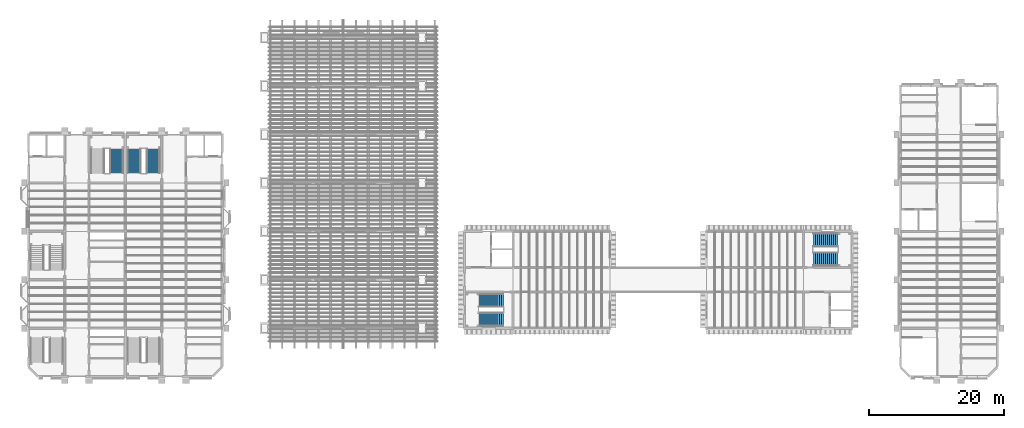
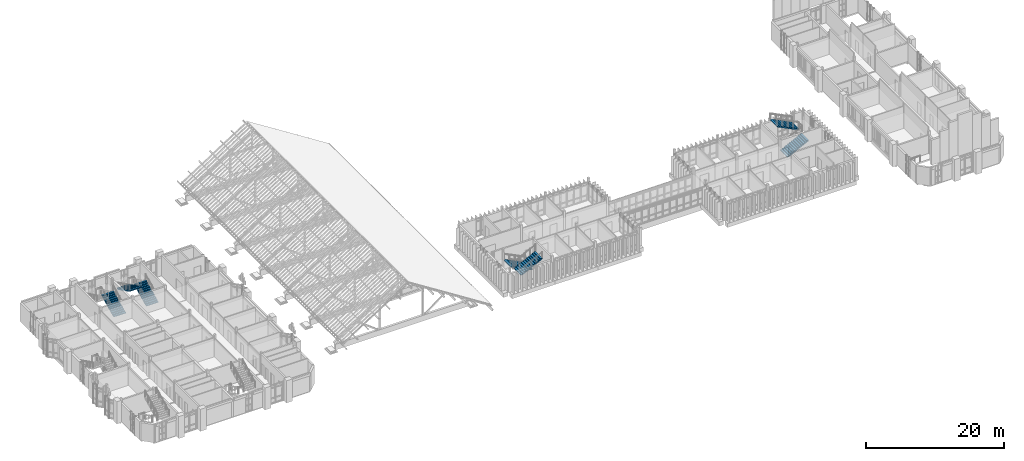
# One storey, part 60 of 71: 7 stair flights, 4 elements without a shape of their own.
"""IFC4 building model written with IfcOpenShell, lengths in metres."""

from ifc_helpers import new_model, si_unit, direction, frame, origin, place, context, subcontext, project, spatial, faceted_brep, material, type_object, element, aggregate, save


model = new_model("IFC4")

# Units and contexts
model_context = context("Model", 3, precision=1e-05, world=origin(), true_north=direction((0.0, 1.0)))
body_context = subcontext(model_context, "Body", "Model", "MODEL_VIEW")
ifc_project = project(units=[si_unit("LENGTHUNIT", "METRE"), si_unit("AREAUNIT", "SQUARE_METRE"), si_unit("VOLUMEUNIT", "CUBIC_METRE"), si_unit("PLANEANGLEUNIT", "RADIAN"), si_unit("MASSUNIT", "GRAM", prefix="KILO")], contexts=[model_context])

# Site, building, storey
site_placement = place(None, origin())
site = spatial("IfcSite", under=ifc_project, at=site_placement, CompositionType="ELEMENT")
building_placement = place(site_placement, origin())
building = spatial("IfcBuilding", under=site, at=building_placement, Name="Mazhai Court Health Centre", CompositionType="ELEMENT")
storey_placement = place(building_placement, frame((0.0, 0.0, 10.199951171875)))
storey = spatial("IfcBuildingStorey", under=building, at=storey_placement, Name="L02", CompositionType="ELEMENT", Elevation=10.199951171875)

# Stair, stair flight
ifc_material_1 = material(Name="Concrete M40", Category="concrete")
stair_type = type_object("IfcStairType", Name="RC STAIR 2000 26R", PredefinedType="DOUBLE_RETURN_STAIR", material=ifc_material_1)
stair_1_placement = place(storey_placement, origin())
stair_1 = element("IfcStair", 1, at=stair_1_placement, inside=storey, type_object=stair_type, Name="L02 Stair 3", PredefinedType="HALF_TURN_STAIR")
ifc_material_2 = material(Name="Concrete M40", Category="concrete")
stair_flight_type = type_object("IfcStairFlightType", Name="RC STAIR FLIGHT 13R 2000", PredefinedType="STRAIGHT", material=ifc_material_2)
stair_flight_1_placement = place(storey_placement, frame((19.304931640625, 36.43505859375, 0.0), z_axis=(0.0, 0.0, 1.0), x_axis=(0.0, 1.0, 0.0)))
stair_flight_1 = element("IfcStairFlight", 2, at=stair_flight_1_placement, type_object=stair_flight_type, Name="ST3 flight 1", NumberOfRisers=13, NumberOfTreads=12, PredefinedType="STRAIGHT", RiserHeight=0.15, TreadLength=0.3, context=body_context, shape_type="Brep", body=[
    faceted_brep([(0.0, 1.0, 0.0), (0.0, 1.0, 0.14990234375), (0.300048828125, 1.0, 0.14990234375), (0.300048828125, 1.0, 0.300048828125), (0.60009765625, 1.0, 0.300048828125), (0.60009765625, 1.0, 0.449951171875), (0.89990234375, 1.0, 0.449951171875), (0.89990234375, 1.0, 0.60009765625), (1.199951171875, 1.0, 0.60009765625), (1.199951171875, 1.0, 0.75), (1.5, 1.0, 0.75), (1.5, 1.0, 0.89990234375), (1.800048828125, 1.0, 0.89990234375), (1.800048828125, 1.0, 1.050048828125), (2.10009765625, 1.0, 1.050048828125), (2.10009765625, 1.0, 1.199951171875), (2.39990234375, 1.0, 1.199951171875), (2.39990234375, 1.0, 1.35009765625), (2.699951171875, 1.0, 1.35009765625), (2.699951171875, 1.0, 1.5), (3.0, 1.0, 1.5), (3.0, 1.0, 1.64990234375), (3.300048828125, 1.0, 1.64990234375), (3.300048828125, 1.0, 1.800048828125), (3.60009765625, 1.0, 1.800048828125), (3.60009765625, 1.0, 1.63232421875), (0.335205078125, 1.0, 0.0), (0.335205078125, -1.0, 0.0), (3.60009765625, -1.0, 1.63232421875), (3.60009765625, -1.0, 1.800048828125), (3.300048828125, -1.0, 1.800048828125), (3.300048828125, -1.0, 1.64990234375), (3.0, -1.0, 1.64990234375), (3.0, -1.0, 1.5), (2.699951171875, -1.0, 1.5), (2.699951171875, -1.0, 1.35009765625), (2.39990234375, -1.0, 1.35009765625), (2.39990234375, -1.0, 1.199951171875), (2.10009765625, -1.0, 1.199951171875), (2.10009765625, -1.0, 1.050048828125), (1.800048828125, -1.0, 1.050048828125), (1.800048828125, -1.0, 0.89990234375), (1.5, -1.0, 0.89990234375), (1.5, -1.0, 0.75), (1.199951171875, -1.0, 0.75), (1.199951171875, -1.0, 0.60009765625), (0.89990234375, -1.0, 0.60009765625), (0.89990234375, -1.0, 0.449951171875), (0.60009765625, -1.0, 0.449951171875), (0.60009765625, -1.0, 0.300048828125), (0.300048828125, -1.0, 0.300048828125), (0.300048828125, -1.0, 0.14990234375), (0.0, -1.0, 0.14990234375), (0.0, -1.0, 0.0), (0.0, 0.0, 0.0), (0.0, 0.0, 0.14990234375), (0.300048828125, 0.0, 0.14990234375), (0.300048828125, 0.0, 0.300048828125), (0.60009765625, 0.0, 0.300048828125), (0.60009765625, 0.0, 0.449951171875), (0.89990234375, 0.0, 0.449951171875), (0.89990234375, 0.0, 0.60009765625), (1.199951171875, 0.0, 0.60009765625), (1.199951171875, 0.0, 0.75), (1.5, 0.0, 0.75), (1.5, 0.0, 0.89990234375), (1.800048828125, 0.0, 0.89990234375), (1.800048828125, 0.0, 1.050048828125), (2.10009765625, 0.0, 1.050048828125), (2.10009765625, 0.0, 1.199951171875), (2.39990234375, 0.0, 1.199951171875), (2.39990234375, 0.0, 1.35009765625), (2.699951171875, 0.0, 1.35009765625), (2.699951171875, 0.0, 1.5), (3.0, 0.0, 1.5), (3.0, 0.0, 1.64990234375), (3.300048828125, 0.0, 1.64990234375), (3.300048828125, 0.0, 1.800048828125), (3.60009765625, 0.0, 1.800048828125), (3.60009765625, 0.0, 1.63232421875), (0.335205078125, 0.0, 0.0)], [[[0, 1, 2, 3, 4, 5, 6, 7, 8, 9, 10, 11, 12, 13, 14, 15, 16, 17, 18, 19, 20, 21, 22, 23, 24, 25, 26]], [[27, 28, 29, 30, 31, 32, 33, 34, 35, 36, 37, 38, 39, 40, 41, 42, 43, 44, 45, 46, 47, 48, 49, 50, 51, 52, 53]], [[54, 55, 1, 0]], [[53, 52, 55, 54]], [[55, 56, 2, 1]], [[52, 51, 56, 55]], [[56, 57, 3, 2]], [[51, 50, 57, 56]], [[57, 58, 4, 3]], [[50, 49, 58, 57]], [[58, 59, 5, 4]], [[49, 48, 59, 58]], [[59, 60, 6, 5]], [[48, 47, 60, 59]], [[60, 61, 7, 6]], [[47, 46, 61, 60]], [[61, 62, 8, 7]], [[46, 45, 62, 61]], [[62, 63, 9, 8]], [[45, 44, 63, 62]], [[63, 64, 10, 9]], [[44, 43, 64, 63]], [[64, 65, 11, 10]], [[43, 42, 65, 64]], [[65, 66, 12, 11]], [[42, 41, 66, 65]], [[66, 67, 13, 12]], [[41, 40, 67, 66]], [[67, 68, 14, 13]], [[40, 39, 68, 67]], [[68, 69, 15, 14]], [[39, 38, 69, 68]], [[69, 70, 16, 15]], [[38, 37, 70, 69]], [[70, 71, 17, 16]], [[37, 36, 71, 70]], [[71, 72, 18, 17]], [[36, 35, 72, 71]], [[72, 73, 19, 18]], [[35, 34, 73, 72]], [[73, 74, 20, 19]], [[34, 33, 74, 73]], [[74, 75, 21, 20]], [[33, 32, 75, 74]], [[75, 76, 22, 21]], [[32, 31, 76, 75]], [[76, 77, 23, 22]], [[31, 30, 77, 76]], [[77, 78, 24, 23]], [[30, 29, 78, 77]], [[78, 79, 25, 24]], [[29, 28, 79, 78]], [[79, 80, 26, 25]], [[28, 27, 80, 79]], [[80, 54, 0, 26]], [[27, 53, 54, 80]]]),
])
aggregate(stair_1, [stair_flight_1])

# Stair, stair flights
stair_2_placement = place(storey_placement, origin())
stair_2 = element("IfcStair", 3, at=stair_2_placement, inside=storey, type_object=stair_type, Name="L02 Stair 5", PredefinedType="HALF_TURN_STAIR")
stair_flight_2_placement = place(storey_placement, frame((24.7451171875, 36.43505859375, 0.0), z_axis=(0.0, 0.0, 1.0), x_axis=(0.0, 1.0, 0.0)))
stair_flight_2 = element("IfcStairFlight", 4, at=stair_flight_2_placement, type_object=stair_flight_type, Name="ST5 flight 1", NumberOfRisers=13, NumberOfTreads=12, PredefinedType="STRAIGHT", RiserHeight=0.15, TreadLength=0.3, context=body_context, shape_type="Brep", body=[
    faceted_brep([(0.0, 1.0, 0.0), (0.0, 1.0, 0.14990234375), (0.300048828125, 1.0, 0.14990234375), (0.300048828125, 1.0, 0.300048828125), (0.60009765625, 1.0, 0.300048828125), (0.60009765625, 1.0, 0.449951171875), (0.89990234375, 1.0, 0.449951171875), (0.89990234375, 1.0, 0.60009765625), (1.199951171875, 1.0, 0.60009765625), (1.199951171875, 1.0, 0.75), (1.5, 1.0, 0.75), (1.5, 1.0, 0.89990234375), (1.800048828125, 1.0, 0.89990234375), (1.800048828125, 1.0, 1.050048828125), (2.10009765625, 1.0, 1.050048828125), (2.10009765625, 1.0, 1.199951171875), (2.39990234375, 1.0, 1.199951171875), (2.39990234375, 1.0, 1.35009765625), (2.699951171875, 1.0, 1.35009765625), (2.699951171875, 1.0, 1.5), (3.0, 1.0, 1.5), (3.0, 1.0, 1.64990234375), (3.300048828125, 1.0, 1.64990234375), (3.300048828125, 1.0, 1.800048828125), (3.60009765625, 1.0, 1.800048828125), (3.60009765625, 1.0, 1.63232421875), (0.335205078125, 1.0, 0.0), (0.335205078125, -1.0, 0.0), (3.60009765625, -1.0, 1.63232421875), (3.60009765625, -1.0, 1.800048828125), (3.300048828125, -1.0, 1.800048828125), (3.300048828125, -1.0, 1.64990234375), (3.0, -1.0, 1.64990234375), (3.0, -1.0, 1.5), (2.699951171875, -1.0, 1.5), (2.699951171875, -1.0, 1.35009765625), (2.39990234375, -1.0, 1.35009765625), (2.39990234375, -1.0, 1.199951171875), (2.10009765625, -1.0, 1.199951171875), (2.10009765625, -1.0, 1.050048828125), (1.800048828125, -1.0, 1.050048828125), (1.800048828125, -1.0, 0.89990234375), (1.5, -1.0, 0.89990234375), (1.5, -1.0, 0.75), (1.199951171875, -1.0, 0.75), (1.199951171875, -1.0, 0.60009765625), (0.89990234375, -1.0, 0.60009765625), (0.89990234375, -1.0, 0.449951171875), (0.60009765625, -1.0, 0.449951171875), (0.60009765625, -1.0, 0.300048828125), (0.300048828125, -1.0, 0.300048828125), (0.300048828125, -1.0, 0.14990234375), (0.0, -1.0, 0.14990234375), (0.0, -1.0, 0.0), (0.0, 0.0, 0.0), (0.0, 0.0, 0.14990234375), (0.300048828125, 0.0, 0.14990234375), (0.300048828125, 0.0, 0.300048828125), (0.60009765625, 0.0, 0.300048828125), (0.60009765625, 0.0, 0.449951171875), (0.89990234375, 0.0, 0.449951171875), (0.89990234375, 0.0, 0.60009765625), (1.199951171875, 0.0, 0.60009765625), (1.199951171875, 0.0, 0.75), (1.5, 0.0, 0.75), (1.5, 0.0, 0.89990234375), (1.800048828125, 0.0, 0.89990234375), (1.800048828125, 0.0, 1.050048828125), (2.10009765625, 0.0, 1.050048828125), (2.10009765625, 0.0, 1.199951171875), (2.39990234375, 0.0, 1.199951171875), (2.39990234375, 0.0, 1.35009765625), (2.699951171875, 0.0, 1.35009765625), (2.699951171875, 0.0, 1.5), (3.0, 0.0, 1.5), (3.0, 0.0, 1.64990234375), (3.300048828125, 0.0, 1.64990234375), (3.300048828125, 0.0, 1.800048828125), (3.60009765625, 0.0, 1.800048828125), (3.60009765625, 0.0, 1.63232421875), (0.335205078125, 0.0, 0.0)], [[[0, 1, 2, 3, 4, 5, 6, 7, 8, 9, 10, 11, 12, 13, 14, 15, 16, 17, 18, 19, 20, 21, 22, 23, 24, 25, 26]], [[27, 28, 29, 30, 31, 32, 33, 34, 35, 36, 37, 38, 39, 40, 41, 42, 43, 44, 45, 46, 47, 48, 49, 50, 51, 52, 53]], [[54, 55, 1, 0]], [[53, 52, 55, 54]], [[55, 56, 2, 1]], [[52, 51, 56, 55]], [[56, 57, 3, 2]], [[51, 50, 57, 56]], [[57, 58, 4, 3]], [[50, 49, 58, 57]], [[58, 59, 5, 4]], [[49, 48, 59, 58]], [[59, 60, 6, 5]], [[48, 47, 60, 59]], [[60, 61, 7, 6]], [[47, 46, 61, 60]], [[61, 62, 8, 7]], [[46, 45, 62, 61]], [[62, 63, 9, 8]], [[45, 44, 63, 62]], [[63, 64, 10, 9]], [[44, 43, 64, 63]], [[64, 65, 11, 10]], [[43, 42, 65, 64]], [[65, 66, 12, 11]], [[42, 41, 66, 65]], [[66, 67, 13, 12]], [[41, 40, 67, 66]], [[67, 68, 14, 13]], [[40, 39, 68, 67]], [[68, 69, 15, 14]], [[39, 38, 69, 68]], [[69, 70, 16, 15]], [[38, 37, 70, 69]], [[70, 71, 17, 16]], [[37, 36, 71, 70]], [[71, 72, 18, 17]], [[36, 35, 72, 71]], [[72, 73, 19, 18]], [[35, 34, 73, 72]], [[73, 74, 20, 19]], [[34, 33, 74, 73]], [[74, 75, 21, 20]], [[33, 32, 75, 74]], [[75, 76, 22, 21]], [[32, 31, 76, 75]], [[76, 77, 23, 22]], [[31, 30, 77, 76]], [[77, 78, 24, 23]], [[30, 29, 78, 77]], [[78, 79, 25, 24]], [[29, 28, 79, 78]], [[79, 80, 26, 25]], [[28, 27, 80, 79]], [[80, 54, 0, 26]], [[27, 53, 54, 80]]]),
])
stair_flight_3_placement = place(storey_placement, frame((21.89501953125, 40.034912109375, 1.949951171875), z_axis=(0.0, 0.0, 1.0), x_axis=(0.0, -1.0, 0.0)))
stair_flight_3 = element("IfcStairFlight", 5, at=stair_flight_3_placement, type_object=stair_flight_type, Name="ST5 flight 2", NumberOfRisers=13, NumberOfTreads=12, PredefinedType="STRAIGHT", RiserHeight=0.15, TreadLength=0.3, context=body_context, shape_type="Brep", body=[
    faceted_brep([(0.0, 1.0, 0.0), (0.0, 1.0, 0.14990234375), (0.300048828125, 1.0, 0.14990234375), (0.300048828125, 1.0, 0.300048828125), (0.60009765625, 1.0, 0.300048828125), (0.60009765625, 1.0, 0.449951171875), (0.89990234375, 1.0, 0.449951171875), (0.89990234375, 1.0, 0.60009765625), (1.199951171875, 1.0, 0.60009765625), (1.199951171875, 1.0, 0.75), (1.5, 1.0, 0.75), (1.5, 1.0, 0.89990234375), (1.800048828125, 1.0, 0.89990234375), (1.800048828125, 1.0, 1.050048828125), (2.10009765625, 1.0, 1.050048828125), (2.10009765625, 1.0, 1.199951171875), (2.39990234375, 1.0, 1.199951171875), (2.39990234375, 1.0, 1.35009765625), (2.699951171875, 1.0, 1.35009765625), (2.699951171875, 1.0, 1.5), (3.0, 1.0, 1.5), (3.0, 1.0, 1.64990234375), (3.300048828125, 1.0, 1.64990234375), (3.300048828125, 1.0, 1.800048828125), (3.60009765625, 1.0, 1.800048828125), (3.60009765625, 1.0, 1.63232421875), (0.335205078125, 1.0, 0.0), (0.335205078125, -1.0, 0.0), (3.60009765625, -1.0, 1.63232421875), (3.60009765625, -1.0, 1.800048828125), (3.300048828125, -1.0, 1.800048828125), (3.300048828125, -1.0, 1.64990234375), (3.0, -1.0, 1.64990234375), (3.0, -1.0, 1.5), (2.699951171875, -1.0, 1.5), (2.699951171875, -1.0, 1.35009765625), (2.39990234375, -1.0, 1.35009765625), (2.39990234375, -1.0, 1.199951171875), (2.10009765625, -1.0, 1.199951171875), (2.10009765625, -1.0, 1.050048828125), (1.800048828125, -1.0, 1.050048828125), (1.800048828125, -1.0, 0.89990234375), (1.5, -1.0, 0.89990234375), (1.5, -1.0, 0.75), (1.199951171875, -1.0, 0.75), (1.199951171875, -1.0, 0.60009765625), (0.89990234375, -1.0, 0.60009765625), (0.89990234375, -1.0, 0.449951171875), (0.60009765625, -1.0, 0.449951171875), (0.60009765625, -1.0, 0.300048828125), (0.300048828125, -1.0, 0.300048828125), (0.300048828125, -1.0, 0.14990234375), (0.0, -1.0, 0.14990234375), (0.0, -1.0, 0.0), (0.0, 0.0, 0.0), (0.0, 0.0, 0.14990234375), (0.300048828125, 0.0, 0.14990234375), (0.300048828125, 0.0, 0.300048828125), (0.60009765625, 0.0, 0.300048828125), (0.60009765625, 0.0, 0.449951171875), (0.89990234375, 0.0, 0.449951171875), (0.89990234375, 0.0, 0.60009765625), (1.199951171875, 0.0, 0.60009765625), (1.199951171875, 0.0, 0.75), (1.5, 0.0, 0.75), (1.5, 0.0, 0.89990234375), (1.800048828125, 0.0, 0.89990234375), (1.800048828125, 0.0, 1.050048828125), (2.10009765625, 0.0, 1.050048828125), (2.10009765625, 0.0, 1.199951171875), (2.39990234375, 0.0, 1.199951171875), (2.39990234375, 0.0, 1.35009765625), (2.699951171875, 0.0, 1.35009765625), (2.699951171875, 0.0, 1.5), (3.0, 0.0, 1.5), (3.0, 0.0, 1.64990234375), (3.300048828125, 0.0, 1.64990234375), (3.300048828125, 0.0, 1.800048828125), (3.60009765625, 0.0, 1.800048828125), (3.60009765625, 0.0, 1.63232421875), (0.335205078125, 0.0, 0.0)], [[[0, 1, 2, 3, 4, 5, 6, 7, 8, 9, 10, 11, 12, 13, 14, 15, 16, 17, 18, 19, 20, 21, 22, 23, 24, 25, 26]], [[27, 28, 29, 30, 31, 32, 33, 34, 35, 36, 37, 38, 39, 40, 41, 42, 43, 44, 45, 46, 47, 48, 49, 50, 51, 52, 53]], [[54, 55, 1, 0]], [[53, 52, 55, 54]], [[55, 56, 2, 1]], [[52, 51, 56, 55]], [[56, 57, 3, 2]], [[51, 50, 57, 56]], [[57, 58, 4, 3]], [[50, 49, 58, 57]], [[58, 59, 5, 4]], [[49, 48, 59, 58]], [[59, 60, 6, 5]], [[48, 47, 60, 59]], [[60, 61, 7, 6]], [[47, 46, 61, 60]], [[61, 62, 8, 7]], [[46, 45, 62, 61]], [[62, 63, 9, 8]], [[45, 44, 63, 62]], [[63, 64, 10, 9]], [[44, 43, 64, 63]], [[64, 65, 11, 10]], [[43, 42, 65, 64]], [[65, 66, 12, 11]], [[42, 41, 66, 65]], [[66, 67, 13, 12]], [[41, 40, 67, 66]], [[67, 68, 14, 13]], [[40, 39, 68, 67]], [[68, 69, 15, 14]], [[39, 38, 69, 68]], [[69, 70, 16, 15]], [[38, 37, 70, 69]], [[70, 71, 17, 16]], [[37, 36, 71, 70]], [[71, 72, 18, 17]], [[36, 35, 72, 71]], [[72, 73, 19, 18]], [[35, 34, 73, 72]], [[73, 74, 20, 19]], [[34, 33, 74, 73]], [[74, 75, 21, 20]], [[33, 32, 75, 74]], [[75, 76, 22, 21]], [[32, 31, 76, 75]], [[76, 77, 23, 22]], [[31, 30, 77, 76]], [[77, 78, 24, 23]], [[30, 29, 78, 77]], [[78, 79, 25, 24]], [[29, 28, 79, 78]], [[79, 80, 26, 25]], [[28, 27, 80, 79]], [[80, 54, 0, 26]], [[27, 53, 54, 80]]]),
])
aggregate(stair_2, [stair_flight_2, stair_flight_3])

stair_3_placement = place(storey_placement, origin())
stair_3 = element("IfcStair", 6, at=stair_3_placement, inside=storey, type_object=stair_type, Name="L02 Stair 6", PredefinedType="HALF_TURN_STAIR")
stair_flight_4_placement = place(storey_placement, frame((76.764892578125, 17.544921875, 0.0), z_axis=(0.0, 0.0, 1.0), x_axis=(-1.0, 0.0, 0.0)))
stair_flight_4 = element("IfcStairFlight", 7, at=stair_flight_4_placement, type_object=stair_flight_type, Name="ST6 flight 1", NumberOfRisers=13, NumberOfTreads=12, PredefinedType="STRAIGHT", RiserHeight=0.15, TreadLength=0.3, context=body_context, shape_type="Brep", body=[
    faceted_brep([(0.0, 1.0, 0.0), (0.0, 1.0, 0.14990234375), (0.300048828125, 1.0, 0.14990234375), (0.300048828125, 1.0, 0.300048828125), (0.60009765625, 1.0, 0.300048828125), (0.60009765625, 1.0, 0.449951171875), (0.89990234375, 1.0, 0.449951171875), (0.89990234375, 1.0, 0.60009765625), (1.199951171875, 1.0, 0.60009765625), (1.199951171875, 1.0, 0.75), (1.5, 1.0, 0.75), (1.5, 1.0, 0.89990234375), (1.800048828125, 1.0, 0.89990234375), (1.800048828125, 1.0, 1.050048828125), (2.10009765625, 1.0, 1.050048828125), (2.10009765625, 1.0, 1.199951171875), (2.39990234375, 1.0, 1.199951171875), (2.39990234375, 1.0, 1.35009765625), (2.699951171875, 1.0, 1.35009765625), (2.699951171875, 1.0, 1.5), (3.0, 1.0, 1.5), (3.0, 1.0, 1.64990234375), (3.300048828125, 1.0, 1.64990234375), (3.300048828125, 1.0, 1.800048828125), (3.60009765625, 1.0, 1.800048828125), (3.60009765625, 1.0, 1.63232421875), (0.335205078125, 1.0, 0.0), (0.335205078125, -1.0, 0.0), (3.60009765625, -1.0, 1.63232421875), (3.60009765625, -1.0, 1.800048828125), (3.300048828125, -1.0, 1.800048828125), (3.300048828125, -1.0, 1.64990234375), (3.0, -1.0, 1.64990234375), (3.0, -1.0, 1.5), (2.699951171875, -1.0, 1.5), (2.699951171875, -1.0, 1.35009765625), (2.39990234375, -1.0, 1.35009765625), (2.39990234375, -1.0, 1.199951171875), (2.10009765625, -1.0, 1.199951171875), (2.10009765625, -1.0, 1.050048828125), (1.800048828125, -1.0, 1.050048828125), (1.800048828125, -1.0, 0.89990234375), (1.5, -1.0, 0.89990234375), (1.5, -1.0, 0.75), (1.199951171875, -1.0, 0.75), (1.199951171875, -1.0, 0.60009765625), (0.89990234375, -1.0, 0.60009765625), (0.89990234375, -1.0, 0.449951171875), (0.60009765625, -1.0, 0.449951171875), (0.60009765625, -1.0, 0.300048828125), (0.300048828125, -1.0, 0.300048828125), (0.300048828125, -1.0, 0.14990234375), (0.0, -1.0, 0.14990234375), (0.0, -1.0, 0.0), (0.0, 0.0, 0.0), (0.0, 0.0, 0.14990234375), (0.300048828125, 0.0, 0.14990234375), (0.300048828125, 0.0, 0.300048828125), (0.60009765625, 0.0, 0.300048828125), (0.60009765625, 0.0, 0.449951171875), (0.89990234375, 0.0, 0.449951171875), (0.89990234375, 0.0, 0.60009765625), (1.199951171875, 0.0, 0.60009765625), (1.199951171875, 0.0, 0.75), (1.5, 0.0, 0.75), (1.5, 0.0, 0.89990234375), (1.800048828125, 0.0, 0.89990234375), (1.800048828125, 0.0, 1.050048828125), (2.10009765625, 0.0, 1.050048828125), (2.10009765625, 0.0, 1.199951171875), (2.39990234375, 0.0, 1.199951171875), (2.39990234375, 0.0, 1.35009765625), (2.699951171875, 0.0, 1.35009765625), (2.699951171875, 0.0, 1.5), (3.0, 0.0, 1.5), (3.0, 0.0, 1.64990234375), (3.300048828125, 0.0, 1.64990234375), (3.300048828125, 0.0, 1.800048828125), (3.60009765625, 0.0, 1.800048828125), (3.60009765625, 0.0, 1.63232421875), (0.335205078125, 0.0, 0.0)], [[[0, 1, 2, 3, 4, 5, 6, 7, 8, 9, 10, 11, 12, 13, 14, 15, 16, 17, 18, 19, 20, 21, 22, 23, 24, 25, 26]], [[27, 28, 29, 30, 31, 32, 33, 34, 35, 36, 37, 38, 39, 40, 41, 42, 43, 44, 45, 46, 47, 48, 49, 50, 51, 52, 53]], [[54, 55, 1, 0]], [[53, 52, 55, 54]], [[55, 56, 2, 1]], [[52, 51, 56, 55]], [[56, 57, 3, 2]], [[51, 50, 57, 56]], [[57, 58, 4, 3]], [[50, 49, 58, 57]], [[58, 59, 5, 4]], [[49, 48, 59, 58]], [[59, 60, 6, 5]], [[48, 47, 60, 59]], [[60, 61, 7, 6]], [[47, 46, 61, 60]], [[61, 62, 8, 7]], [[46, 45, 62, 61]], [[62, 63, 9, 8]], [[45, 44, 63, 62]], [[63, 64, 10, 9]], [[44, 43, 64, 63]], [[64, 65, 11, 10]], [[43, 42, 65, 64]], [[65, 66, 12, 11]], [[42, 41, 66, 65]], [[66, 67, 13, 12]], [[41, 40, 67, 66]], [[67, 68, 14, 13]], [[40, 39, 68, 67]], [[68, 69, 15, 14]], [[39, 38, 69, 68]], [[69, 70, 16, 15]], [[38, 37, 70, 69]], [[70, 71, 17, 16]], [[37, 36, 71, 70]], [[71, 72, 18, 17]], [[36, 35, 72, 71]], [[72, 73, 19, 18]], [[35, 34, 73, 72]], [[73, 74, 20, 19]], [[34, 33, 74, 73]], [[74, 75, 21, 20]], [[33, 32, 75, 74]], [[75, 76, 22, 21]], [[32, 31, 76, 75]], [[76, 77, 23, 22]], [[31, 30, 77, 76]], [[77, 78, 24, 23]], [[30, 29, 78, 77]], [[78, 79, 25, 24]], [[29, 28, 79, 78]], [[79, 80, 26, 25]], [[28, 27, 80, 79]], [[80, 54, 0, 26]], [[27, 53, 54, 80]]]),
])
stair_flight_5_placement = place(storey_placement, frame((73.1650390625, 14.695068359375, 1.949951171875), z_axis=(0.0, 0.0, 1.0), x_axis=(1.0, 0.0, 0.0)))
stair_flight_5 = element("IfcStairFlight", 8, at=stair_flight_5_placement, type_object=stair_flight_type, Name="ST6 flight 2", NumberOfRisers=13, NumberOfTreads=12, PredefinedType="STRAIGHT", RiserHeight=0.15, TreadLength=0.3, context=body_context, shape_type="Brep", body=[
    faceted_brep([(0.0, 1.0, 0.0), (0.0, 1.0, 0.14990234375), (0.300048828125, 1.0, 0.14990234375), (0.300048828125, 1.0, 0.300048828125), (0.60009765625, 1.0, 0.300048828125), (0.60009765625, 1.0, 0.449951171875), (0.89990234375, 1.0, 0.449951171875), (0.89990234375, 1.0, 0.60009765625), (1.199951171875, 1.0, 0.60009765625), (1.199951171875, 1.0, 0.75), (1.5, 1.0, 0.75), (1.5, 1.0, 0.89990234375), (1.800048828125, 1.0, 0.89990234375), (1.800048828125, 1.0, 1.050048828125), (2.10009765625, 1.0, 1.050048828125), (2.10009765625, 1.0, 1.199951171875), (2.39990234375, 1.0, 1.199951171875), (2.39990234375, 1.0, 1.35009765625), (2.699951171875, 1.0, 1.35009765625), (2.699951171875, 1.0, 1.5), (3.0, 1.0, 1.5), (3.0, 1.0, 1.64990234375), (3.300048828125, 1.0, 1.64990234375), (3.300048828125, 1.0, 1.800048828125), (3.60009765625, 1.0, 1.800048828125), (3.60009765625, 1.0, 1.63232421875), (0.335205078125, 1.0, 0.0), (0.335205078125, -1.0, 0.0), (3.60009765625, -1.0, 1.63232421875), (3.60009765625, -1.0, 1.800048828125), (3.300048828125, -1.0, 1.800048828125), (3.300048828125, -1.0, 1.64990234375), (3.0, -1.0, 1.64990234375), (3.0, -1.0, 1.5), (2.699951171875, -1.0, 1.5), (2.699951171875, -1.0, 1.35009765625), (2.39990234375, -1.0, 1.35009765625), (2.39990234375, -1.0, 1.199951171875), (2.10009765625, -1.0, 1.199951171875), (2.10009765625, -1.0, 1.050048828125), (1.800048828125, -1.0, 1.050048828125), (1.800048828125, -1.0, 0.89990234375), (1.5, -1.0, 0.89990234375), (1.5, -1.0, 0.75), (1.199951171875, -1.0, 0.75), (1.199951171875, -1.0, 0.60009765625), (0.89990234375, -1.0, 0.60009765625), (0.89990234375, -1.0, 0.449951171875), (0.60009765625, -1.0, 0.449951171875), (0.60009765625, -1.0, 0.300048828125), (0.300048828125, -1.0, 0.300048828125), (0.300048828125, -1.0, 0.14990234375), (0.0, -1.0, 0.14990234375), (0.0, -1.0, 0.0), (0.0, 0.0, 0.0), (0.0, 0.0, 0.14990234375), (0.300048828125, 0.0, 0.14990234375), (0.300048828125, 0.0, 0.300048828125), (0.60009765625, 0.0, 0.300048828125), (0.60009765625, 0.0, 0.449951171875), (0.89990234375, 0.0, 0.449951171875), (0.89990234375, 0.0, 0.60009765625), (1.199951171875, 0.0, 0.60009765625), (1.199951171875, 0.0, 0.75), (1.5, 0.0, 0.75), (1.5, 0.0, 0.89990234375), (1.800048828125, 0.0, 0.89990234375), (1.800048828125, 0.0, 1.050048828125), (2.10009765625, 0.0, 1.050048828125), (2.10009765625, 0.0, 1.199951171875), (2.39990234375, 0.0, 1.199951171875), (2.39990234375, 0.0, 1.35009765625), (2.699951171875, 0.0, 1.35009765625), (2.699951171875, 0.0, 1.5), (3.0, 0.0, 1.5), (3.0, 0.0, 1.64990234375), (3.300048828125, 0.0, 1.64990234375), (3.300048828125, 0.0, 1.800048828125), (3.60009765625, 0.0, 1.800048828125), (3.60009765625, 0.0, 1.63232421875), (0.335205078125, 0.0, 0.0)], [[[0, 1, 2, 3, 4, 5, 6, 7, 8, 9, 10, 11, 12, 13, 14, 15, 16, 17, 18, 19, 20, 21, 22, 23, 24, 25, 26]], [[27, 28, 29, 30, 31, 32, 33, 34, 35, 36, 37, 38, 39, 40, 41, 42, 43, 44, 45, 46, 47, 48, 49, 50, 51, 52, 53]], [[54, 55, 1, 0]], [[53, 52, 55, 54]], [[55, 56, 2, 1]], [[52, 51, 56, 55]], [[56, 57, 3, 2]], [[51, 50, 57, 56]], [[57, 58, 4, 3]], [[50, 49, 58, 57]], [[58, 59, 5, 4]], [[49, 48, 59, 58]], [[59, 60, 6, 5]], [[48, 47, 60, 59]], [[60, 61, 7, 6]], [[47, 46, 61, 60]], [[61, 62, 8, 7]], [[46, 45, 62, 61]], [[62, 63, 9, 8]], [[45, 44, 63, 62]], [[63, 64, 10, 9]], [[44, 43, 64, 63]], [[64, 65, 11, 10]], [[43, 42, 65, 64]], [[65, 66, 12, 11]], [[42, 41, 66, 65]], [[66, 67, 13, 12]], [[41, 40, 67, 66]], [[67, 68, 14, 13]], [[40, 39, 68, 67]], [[68, 69, 15, 14]], [[39, 38, 69, 68]], [[69, 70, 16, 15]], [[38, 37, 70, 69]], [[70, 71, 17, 16]], [[37, 36, 71, 70]], [[71, 72, 18, 17]], [[36, 35, 72, 71]], [[72, 73, 19, 18]], [[35, 34, 73, 72]], [[73, 74, 20, 19]], [[34, 33, 74, 73]], [[74, 75, 21, 20]], [[33, 32, 75, 74]], [[75, 76, 22, 21]], [[32, 31, 76, 75]], [[76, 77, 23, 22]], [[31, 30, 77, 76]], [[77, 78, 24, 23]], [[30, 29, 78, 77]], [[78, 79, 25, 24]], [[29, 28, 79, 78]], [[79, 80, 26, 25]], [[28, 27, 80, 79]], [[80, 54, 0, 26]], [[27, 53, 54, 80]]]),
])
aggregate(stair_3, [stair_flight_4, stair_flight_5])

stair_4_placement = place(storey_placement, origin())
stair_4 = element("IfcStair", 9, at=stair_4_placement, inside=storey, type_object=stair_type, Name="L02 Stair 7", PredefinedType="HALF_TURN_STAIR")
stair_flight_6_placement = place(storey_placement, frame((122.8349609375, 23.655029296875, 0.0), z_axis=(0.0, 0.0, 1.0), x_axis=(1.0, 0.0, 0.0)))
stair_flight_6 = element("IfcStairFlight", 10, at=stair_flight_6_placement, type_object=stair_flight_type, Name="ST7 flight 1", NumberOfRisers=13, NumberOfTreads=12, PredefinedType="STRAIGHT", RiserHeight=0.15, TreadLength=0.3, context=body_context, shape_type="Brep", body=[
    faceted_brep([(0.0, 1.0, 0.0), (0.0, 1.0, 0.14990234375), (0.300048828125, 1.0, 0.14990234375), (0.300048828125, 1.0, 0.300048828125), (0.60009765625, 1.0, 0.300048828125), (0.60009765625, 1.0, 0.449951171875), (0.89990234375, 1.0, 0.449951171875), (0.89990234375, 1.0, 0.60009765625), (1.199951171875, 1.0, 0.60009765625), (1.199951171875, 1.0, 0.75), (1.5, 1.0, 0.75), (1.5, 1.0, 0.89990234375), (1.800048828125, 1.0, 0.89990234375), (1.800048828125, 1.0, 1.050048828125), (2.10009765625, 1.0, 1.050048828125), (2.10009765625, 1.0, 1.199951171875), (2.39990234375, 1.0, 1.199951171875), (2.39990234375, 1.0, 1.35009765625), (2.699951171875, 1.0, 1.35009765625), (2.699951171875, 1.0, 1.5), (3.0, 1.0, 1.5), (3.0, 1.0, 1.64990234375), (3.300048828125, 1.0, 1.64990234375), (3.300048828125, 1.0, 1.800048828125), (3.60009765625, 1.0, 1.800048828125), (3.60009765625, 1.0, 1.63232421875), (0.335205078125, 1.0, 0.0), (0.335205078125, -1.0, 0.0), (3.60009765625, -1.0, 1.63232421875), (3.60009765625, -1.0, 1.800048828125), (3.300048828125, -1.0, 1.800048828125), (3.300048828125, -1.0, 1.64990234375), (3.0, -1.0, 1.64990234375), (3.0, -1.0, 1.5), (2.699951171875, -1.0, 1.5), (2.699951171875, -1.0, 1.35009765625), (2.39990234375, -1.0, 1.35009765625), (2.39990234375, -1.0, 1.199951171875), (2.10009765625, -1.0, 1.199951171875), (2.10009765625, -1.0, 1.050048828125), (1.800048828125, -1.0, 1.050048828125), (1.800048828125, -1.0, 0.89990234375), (1.5, -1.0, 0.89990234375), (1.5, -1.0, 0.75), (1.199951171875, -1.0, 0.75), (1.199951171875, -1.0, 0.60009765625), (0.89990234375, -1.0, 0.60009765625), (0.89990234375, -1.0, 0.449951171875), (0.60009765625, -1.0, 0.449951171875), (0.60009765625, -1.0, 0.300048828125), (0.300048828125, -1.0, 0.300048828125), (0.300048828125, -1.0, 0.14990234375), (0.0, -1.0, 0.14990234375), (0.0, -1.0, 0.0), (0.0, 0.0, 0.0), (0.0, 0.0, 0.14990234375), (0.300048828125, 0.0, 0.14990234375), (0.300048828125, 0.0, 0.300048828125), (0.60009765625, 0.0, 0.300048828125), (0.60009765625, 0.0, 0.449951171875), (0.89990234375, 0.0, 0.449951171875), (0.89990234375, 0.0, 0.60009765625), (1.199951171875, 0.0, 0.60009765625), (1.199951171875, 0.0, 0.75), (1.5, 0.0, 0.75), (1.5, 0.0, 0.89990234375), (1.800048828125, 0.0, 0.89990234375), (1.800048828125, 0.0, 1.050048828125), (2.10009765625, 0.0, 1.050048828125), (2.10009765625, 0.0, 1.199951171875), (2.39990234375, 0.0, 1.199951171875), (2.39990234375, 0.0, 1.35009765625), (2.699951171875, 0.0, 1.35009765625), (2.699951171875, 0.0, 1.5), (3.0, 0.0, 1.5), (3.0, 0.0, 1.64990234375), (3.300048828125, 0.0, 1.64990234375), (3.300048828125, 0.0, 1.800048828125), (3.60009765625, 0.0, 1.800048828125), (3.60009765625, 0.0, 1.63232421875), (0.335205078125, 0.0, 0.0)], [[[0, 1, 2, 3, 4, 5, 6, 7, 8, 9, 10, 11, 12, 13, 14, 15, 16, 17, 18, 19, 20, 21, 22, 23, 24, 25, 26]], [[27, 28, 29, 30, 31, 32, 33, 34, 35, 36, 37, 38, 39, 40, 41, 42, 43, 44, 45, 46, 47, 48, 49, 50, 51, 52, 53]], [[54, 55, 1, 0]], [[53, 52, 55, 54]], [[55, 56, 2, 1]], [[52, 51, 56, 55]], [[56, 57, 3, 2]], [[51, 50, 57, 56]], [[57, 58, 4, 3]], [[50, 49, 58, 57]], [[58, 59, 5, 4]], [[49, 48, 59, 58]], [[59, 60, 6, 5]], [[48, 47, 60, 59]], [[60, 61, 7, 6]], [[47, 46, 61, 60]], [[61, 62, 8, 7]], [[46, 45, 62, 61]], [[62, 63, 9, 8]], [[45, 44, 63, 62]], [[63, 64, 10, 9]], [[44, 43, 64, 63]], [[64, 65, 11, 10]], [[43, 42, 65, 64]], [[65, 66, 12, 11]], [[42, 41, 66, 65]], [[66, 67, 13, 12]], [[41, 40, 67, 66]], [[67, 68, 14, 13]], [[40, 39, 68, 67]], [[68, 69, 15, 14]], [[39, 38, 69, 68]], [[69, 70, 16, 15]], [[38, 37, 70, 69]], [[70, 71, 17, 16]], [[37, 36, 71, 70]], [[71, 72, 18, 17]], [[36, 35, 72, 71]], [[72, 73, 19, 18]], [[35, 34, 73, 72]], [[73, 74, 20, 19]], [[34, 33, 74, 73]], [[74, 75, 21, 20]], [[33, 32, 75, 74]], [[75, 76, 22, 21]], [[32, 31, 76, 75]], [[76, 77, 23, 22]], [[31, 30, 77, 76]], [[77, 78, 24, 23]], [[30, 29, 78, 77]], [[78, 79, 25, 24]], [[29, 28, 79, 78]], [[79, 80, 26, 25]], [[28, 27, 80, 79]], [[80, 54, 0, 26]], [[27, 53, 54, 80]]]),
])
stair_flight_7_placement = place(storey_placement, frame((126.43505859375, 26.5048828125, 1.949951171875), z_axis=(0.0, 0.0, 1.0), x_axis=(-1.0, 0.0, 0.0)))
stair_flight_7 = element("IfcStairFlight", 11, at=stair_flight_7_placement, type_object=stair_flight_type, Name="ST7 flight 2", NumberOfRisers=13, NumberOfTreads=12, PredefinedType="STRAIGHT", RiserHeight=0.15, TreadLength=0.3, context=body_context, shape_type="Brep", body=[
    faceted_brep([(0.0, 1.0, 0.0), (0.0, 1.0, 0.14990234375), (0.300048828125, 1.0, 0.14990234375), (0.300048828125, 1.0, 0.300048828125), (0.60009765625, 1.0, 0.300048828125), (0.60009765625, 1.0, 0.449951171875), (0.89990234375, 1.0, 0.449951171875), (0.89990234375, 1.0, 0.60009765625), (1.199951171875, 1.0, 0.60009765625), (1.199951171875, 1.0, 0.75), (1.5, 1.0, 0.75), (1.5, 1.0, 0.89990234375), (1.800048828125, 1.0, 0.89990234375), (1.800048828125, 1.0, 1.050048828125), (2.10009765625, 1.0, 1.050048828125), (2.10009765625, 1.0, 1.199951171875), (2.39990234375, 1.0, 1.199951171875), (2.39990234375, 1.0, 1.35009765625), (2.699951171875, 1.0, 1.35009765625), (2.699951171875, 1.0, 1.5), (3.0, 1.0, 1.5), (3.0, 1.0, 1.64990234375), (3.300048828125, 1.0, 1.64990234375), (3.300048828125, 1.0, 1.800048828125), (3.60009765625, 1.0, 1.800048828125), (3.60009765625, 1.0, 1.63232421875), (0.335205078125, 1.0, 0.0), (0.335205078125, -1.0, 0.0), (3.60009765625, -1.0, 1.63232421875), (3.60009765625, -1.0, 1.800048828125), (3.300048828125, -1.0, 1.800048828125), (3.300048828125, -1.0, 1.64990234375), (3.0, -1.0, 1.64990234375), (3.0, -1.0, 1.5), (2.699951171875, -1.0, 1.5), (2.699951171875, -1.0, 1.35009765625), (2.39990234375, -1.0, 1.35009765625), (2.39990234375, -1.0, 1.199951171875), (2.10009765625, -1.0, 1.199951171875), (2.10009765625, -1.0, 1.050048828125), (1.800048828125, -1.0, 1.050048828125), (1.800048828125, -1.0, 0.89990234375), (1.5, -1.0, 0.89990234375), (1.5, -1.0, 0.75), (1.199951171875, -1.0, 0.75), (1.199951171875, -1.0, 0.60009765625), (0.89990234375, -1.0, 0.60009765625), (0.89990234375, -1.0, 0.449951171875), (0.60009765625, -1.0, 0.449951171875), (0.60009765625, -1.0, 0.300048828125), (0.300048828125, -1.0, 0.300048828125), (0.300048828125, -1.0, 0.14990234375), (0.0, -1.0, 0.14990234375), (0.0, -1.0, 0.0), (0.0, 0.0, 0.0), (0.0, 0.0, 0.14990234375), (0.300048828125, 0.0, 0.14990234375), (0.300048828125, 0.0, 0.300048828125), (0.60009765625, 0.0, 0.300048828125), (0.60009765625, 0.0, 0.449951171875), (0.89990234375, 0.0, 0.449951171875), (0.89990234375, 0.0, 0.60009765625), (1.199951171875, 0.0, 0.60009765625), (1.199951171875, 0.0, 0.75), (1.5, 0.0, 0.75), (1.5, 0.0, 0.89990234375), (1.800048828125, 0.0, 0.89990234375), (1.800048828125, 0.0, 1.050048828125), (2.10009765625, 0.0, 1.050048828125), (2.10009765625, 0.0, 1.199951171875), (2.39990234375, 0.0, 1.199951171875), (2.39990234375, 0.0, 1.35009765625), (2.699951171875, 0.0, 1.35009765625), (2.699951171875, 0.0, 1.5), (3.0, 0.0, 1.5), (3.0, 0.0, 1.64990234375), (3.300048828125, 0.0, 1.64990234375), (3.300048828125, 0.0, 1.800048828125), (3.60009765625, 0.0, 1.800048828125), (3.60009765625, 0.0, 1.63232421875), (0.335205078125, 0.0, 0.0)], [[[0, 1, 2, 3, 4, 5, 6, 7, 8, 9, 10, 11, 12, 13, 14, 15, 16, 17, 18, 19, 20, 21, 22, 23, 24, 25, 26]], [[27, 28, 29, 30, 31, 32, 33, 34, 35, 36, 37, 38, 39, 40, 41, 42, 43, 44, 45, 46, 47, 48, 49, 50, 51, 52, 53]], [[54, 55, 1, 0]], [[53, 52, 55, 54]], [[55, 56, 2, 1]], [[52, 51, 56, 55]], [[56, 57, 3, 2]], [[51, 50, 57, 56]], [[57, 58, 4, 3]], [[50, 49, 58, 57]], [[58, 59, 5, 4]], [[49, 48, 59, 58]], [[59, 60, 6, 5]], [[48, 47, 60, 59]], [[60, 61, 7, 6]], [[47, 46, 61, 60]], [[61, 62, 8, 7]], [[46, 45, 62, 61]], [[62, 63, 9, 8]], [[45, 44, 63, 62]], [[63, 64, 10, 9]], [[44, 43, 64, 63]], [[64, 65, 11, 10]], [[43, 42, 65, 64]], [[65, 66, 12, 11]], [[42, 41, 66, 65]], [[66, 67, 13, 12]], [[41, 40, 67, 66]], [[67, 68, 14, 13]], [[40, 39, 68, 67]], [[68, 69, 15, 14]], [[39, 38, 69, 68]], [[69, 70, 16, 15]], [[38, 37, 70, 69]], [[70, 71, 17, 16]], [[37, 36, 71, 70]], [[71, 72, 18, 17]], [[36, 35, 72, 71]], [[72, 73, 19, 18]], [[35, 34, 73, 72]], [[73, 74, 20, 19]], [[34, 33, 74, 73]], [[74, 75, 21, 20]], [[33, 32, 75, 74]], [[75, 76, 22, 21]], [[32, 31, 76, 75]], [[76, 77, 23, 22]], [[31, 30, 77, 76]], [[77, 78, 24, 23]], [[30, 29, 78, 77]], [[78, 79, 25, 24]], [[29, 28, 79, 78]], [[79, 80, 26, 25]], [[28, 27, 80, 79]], [[80, 54, 0, 26]], [[27, 53, 54, 80]]]),
])
aggregate(stair_4, [stair_flight_6, stair_flight_7])

save(model, "model.ifc")
